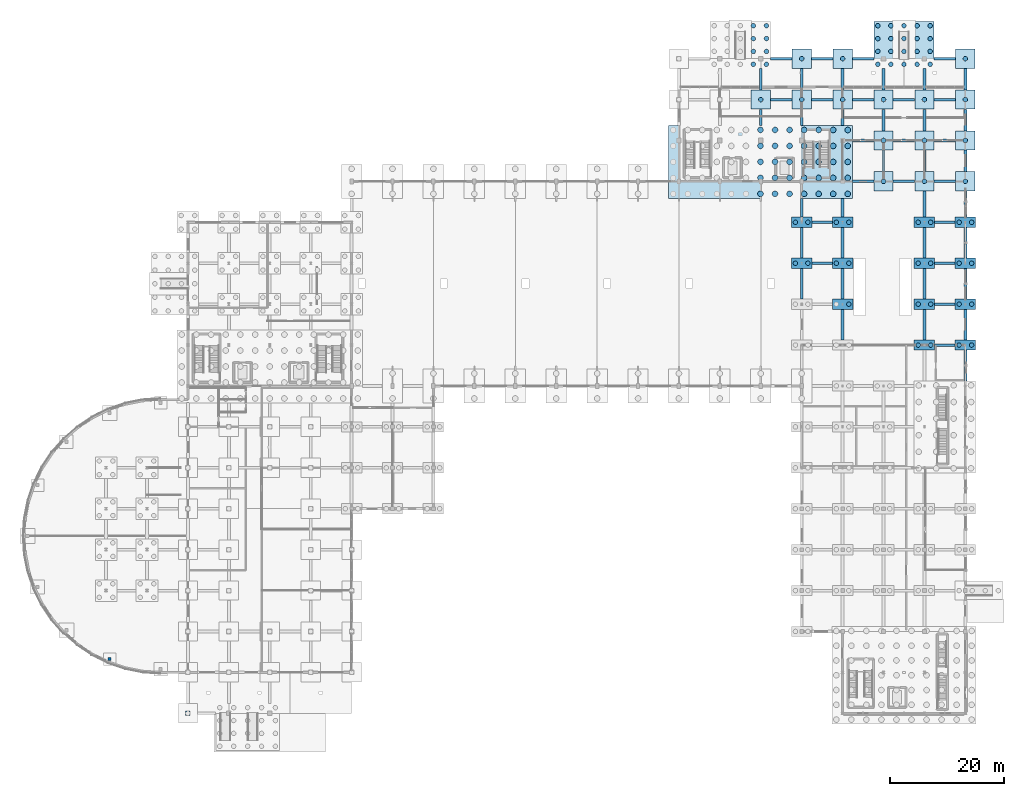
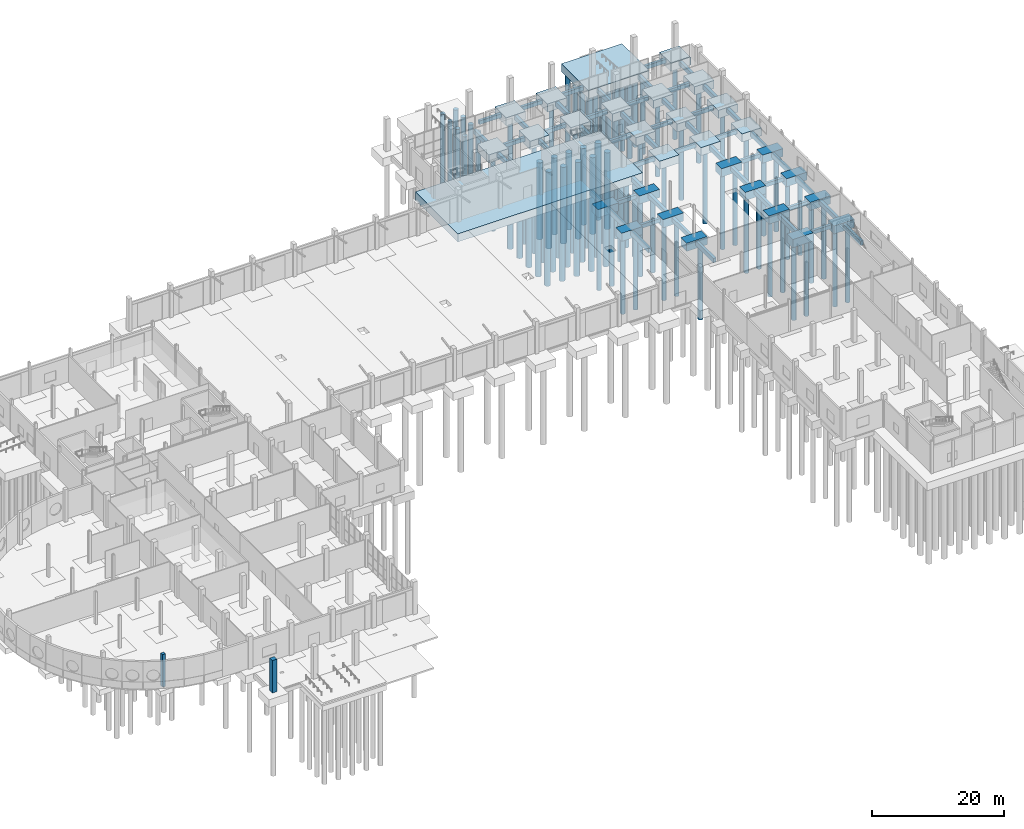
# One storey, part 5 of 45: 103 piles, 82 footings, 2 columns.
"""IFC4 building model written with IfcOpenShell, lengths in metres."""

from ifc_helpers import new_model, si_unit, direction, frame, origin, origin_2d, place, context, subcontext, project, spatial, rectangle, circle, extrude, material, material_profile, profile_set, type_object, element, save


model = new_model("IFC4")

# Units and contexts
model_context = context("Model", 3, precision=1e-05, world=origin(), true_north=direction((0.0, 1.0)))
body_context = subcontext(model_context, "Body", "Model", "MODEL_VIEW")
ifc_project = project(units=[si_unit("LENGTHUNIT", "METRE"), si_unit("AREAUNIT", "SQUARE_METRE"), si_unit("VOLUMEUNIT", "CUBIC_METRE"), si_unit("PLANEANGLEUNIT", "RADIAN"), si_unit("MASSUNIT", "GRAM", prefix="KILO")], contexts=[model_context])

# Site, building, storey
site_placement = place(None, origin())
site = spatial("IfcSite", under=ifc_project, at=site_placement, CompositionType="ELEMENT")
building_placement = place(site_placement, origin())
building = spatial("IfcBuilding", under=site, at=building_placement, Name="Yarey Park Central Fire Station", CompositionType="ELEMENT")
storey_placement = place(building_placement, origin())
storey = spatial("IfcBuildingStorey", under=building, at=storey_placement, Name="L01", CompositionType="ELEMENT", Elevation=0.0)

# Footings
ifc_material_1 = material(Name="Concrete C35/45", Category="concrete")
footing_type_1 = type_object("IfcFootingType", Name="STR_CAP_M01", PredefinedType="PILE_CAP", material=ifc_material_1)
footing_1_placement = place(storey_placement, frame((129.550048828125, 97.02490234375, -1.5), z_axis=(0.0, 0.0, 1.0), x_axis=(1.0, 0.0, 0.0)))
element("IfcFooting", 1, at=footing_1_placement, inside=storey, type_object=footing_type_1, Name="FDN_CAP_001", PredefinedType="PILE_CAP", context=body_context, shape_type="SweptSolid", body=[
    extrude(rectangle(XDim=32.300048828125, YDim=12.85009765625, at=origin_2d()), origin(), (0.0, 0.0, 1.0), 1.5),
])
footing_type_2 = type_object("IfcFootingType", Name="STR_CAP_M07", PredefinedType="PILE_CAP", material=ifc_material_1)
footing_2_placement = place(storey_placement, frame((154.800048828125, 117.60009765625, -1.5), z_axis=(0.0, 0.0, 1.0), x_axis=(1.0, 0.0, 0.0)))
element("IfcFooting", 2, at=footing_2_placement, inside=storey, type_object=footing_type_2, Name="FDN_CAP_007", PredefinedType="PILE_CAP", context=body_context, shape_type="SweptSolid", body=[
    extrude(rectangle(XDim=10.60009765625, YDim=8.199951171875, at=origin_2d()), origin(), (0.0, 0.0, 1.0), 1.5),
])
footing_type_3 = type_object("IfcFootingType", Name="STR_CAP_PC2", PredefinedType="PILE_CAP", material=ifc_material_1)
for number, where, z_axis, x_axis, name in (
    (3, (136.800048828125, 79.199951171875, -1.5), (0.0, 0.0, 1.0), (1.0, 0.0, 0.0), "FDN_CAP_101"),
    (4, (136.800048828125, 86.39990234375, -1.5), (0.0, 0.0, 1.0), (1.0, 0.0, 0.0), "FDN_CAP_102"),
    (5, (144.0, 72.0, -1.5), (0.0, 0.0, 1.0), (1.0, 0.0, 0.0), "FDN_CAP_112"),
    (6, (144.0, 79.199951171875, -1.5), (0.0, 0.0, 1.0), (1.0, 0.0, 0.0), "FDN_CAP_113"),
    (7, (144.0, 86.39990234375, -1.5), (0.0, 0.0, 1.0), (1.0, 0.0, 0.0), "FDN_CAP_114"),
    (8, (158.39990234375, 64.800048828125, -1.5), (0.0, 0.0, 1.0), (1.0, 0.0, 0.0), "FDN_CAP_129"),
    (9, (158.39990234375, 72.0, -1.5), (0.0, 0.0, 1.0), (1.0, 0.0, 0.0), "FDN_CAP_130"),
    (10, (158.39990234375, 79.199951171875, -1.5), (0.0, 0.0, 1.0), (1.0, 0.0, 0.0), "FDN_CAP_131"),
    (11, (158.39990234375, 86.39990234375, -1.5), (0.0, 0.0, 1.0), (1.0, 0.0, 0.0), "FDN_CAP_132"),
    (12, (165.60009765625, 64.800048828125, -1.5), (0.0, 0.0, 1.0), (1.0, 0.0, 0.0), "FDN_CAP_138"),
    (13, (165.60009765625, 72.0, -1.5), (0.0, 0.0, 1.0), (1.0, 0.0, 0.0), "FDN_CAP_139"),
    (14, (165.60009765625, 79.199951171875, -1.5), (0.0, 0.0, 1.0), (1.0, 0.0, 0.0), "FDN_CAP_140"),
    (15, (165.60009765625, 86.39990234375, -1.5), (0.0, 0.0, 1.0), (1.0, 0.0, 0.0), "FDN_CAP_141"),
):
    element("IfcFooting", number, at=place(storey_placement, frame(where, z_axis=z_axis, x_axis=x_axis)), inside=storey, type_object=footing_type_3, Name=name, PredefinedType="PILE_CAP", context=body_context, shape_type="SweptSolid", body=[
        extrude(rectangle(XDim=3.60009765625, YDim=1.800048828125, at=origin_2d()), origin(), (0.0, 0.0, 1.0), 1.5),
    ])
footing_type_4 = type_object("IfcFootingType", Name="STR_CAP_PC4", PredefinedType="PILE_CAP", material=ifc_material_1)
for number, where, z_axis, x_axis, name in (
    (16, (129.60009765625, 108.0, -1.5), (0.0, 0.0, 1.0), (1.0, 0.0, 0.0), "FDN_CAP_091"),
    (17, (136.800048828125, 108.0, -1.5), (0.0, 0.0, 1.0), (1.0, 0.0, 0.0), "FDN_CAP_103"),
    (18, (136.800048828125, 115.199951171875, -1.5), (0.0, 0.0, 1.0), (1.0, 0.0, 0.0), "FDN_CAP_104"),
    (19, (144.0, 108.0, -1.5), (0.0, 0.0, 1.0), (1.0, 0.0, 0.0), "FDN_CAP_115"),
    (20, (144.0, 115.199951171875, -1.5), (0.0, 0.0, 1.0), (1.0, 0.0, 0.0), "FDN_CAP_116"),
    (21, (151.199951171875, 93.60009765625, -1.5), (0.0, 0.0, 1.0), (1.0, 0.0, 0.0), "FDN_CAP_123"),
    (22, (151.199951171875, 100.800048828125, -1.5), (0.0, 0.0, 1.0), (1.0, 0.0, 0.0), "FDN_CAP_124"),
    (23, (151.199951171875, 108.0, -1.5), (0.0, 0.0, 1.0), (1.0, 0.0, 0.0), "FDN_CAP_125"),
    (24, (158.39990234375, 93.60009765625, -1.5), (0.0, 0.0, 1.0), (1.0, 0.0, 0.0), "FDN_CAP_133"),
    (25, (158.39990234375, 100.800048828125, -1.5), (0.0, 0.0, 1.0), (1.0, 0.0, 0.0), "FDN_CAP_134"),
    (26, (158.39990234375, 108.0, -1.5), (0.0, 0.0, 1.0), (1.0, 0.0, 0.0), "FDN_CAP_135"),
    (27, (165.60009765625, 93.60009765625, -1.5), (0.0, 0.0, 1.0), (1.0, 0.0, 0.0), "FDN_CAP_142"),
    (28, (165.60009765625, 100.800048828125, -1.5), (0.0, 0.0, 1.0), (1.0, 0.0, 0.0), "FDN_CAP_143"),
    (29, (165.60009765625, 108.0, -1.5), (0.0, 0.0, 1.0), (1.0, 0.0, 0.0), "FDN_CAP_144"),
    (30, (165.60009765625, 115.199951171875, -1.5), (0.0, 0.0, 1.0), (1.0, 0.0, 0.0), "FDN_CAP_145"),
):
    element("IfcFooting", number, at=place(storey_placement, frame(where, z_axis=z_axis, x_axis=x_axis)), inside=storey, type_object=footing_type_4, Name=name, PredefinedType="PILE_CAP", context=body_context, shape_type="SweptSolid", body=[
        extrude(rectangle(XDim=3.39990234375, YDim=3.39990234375, at=origin_2d()), origin(), (0.0, 0.0, 1.0), 1.5),
    ])
footing_type_5 = type_object("IfcFootingType", Name="STR_GB_1", PredefinedType="FOOTING_BEAM", material=ifc_material_1)
for number, where, z_axis, x_axis, name in (
    (31, (162.0, 64.800048828125, -0.85009765625), (0.0, 0.0, 1.0), (1.0, 0.0, 0.0), "FDN_GBX_072"),
    (32, (162.0, 72.0, -0.85009765625), (0.0, 0.0, 1.0), (1.0, 0.0, 0.0), "FDN_GBX_078"),
    (33, (140.39990234375, 79.199951171875, -0.85009765625), (0.0, 0.0, 1.0), (1.0, 0.0, 0.0), "FDN_GBX_083"),
    (34, (162.0, 79.199951171875, -0.85009765625), (0.0, 0.0, 1.0), (1.0, 0.0, 0.0), "FDN_GBX_084"),
    (35, (140.39990234375, 86.39990234375, -0.85009765625), (0.0, 0.0, 1.0), (1.0, 0.0, 0.0), "FDN_GBX_089"),
    (36, (162.0, 86.39990234375, -0.85009765625), (0.0, 0.0, 1.0), (1.0, 0.0, 0.0), "FDN_GBX_090"),
):
    element("IfcFooting", number, at=place(storey_placement, frame(where, z_axis=z_axis, x_axis=x_axis)), inside=storey, type_object=footing_type_5, Name=name, PredefinedType="FOOTING_BEAM", context=body_context, shape_type="SweptSolid", body=[
        extrude(rectangle(XDim=3.583984375, YDim=0.449951171875, at=origin_2d()), origin(), (0.0, 0.0, 1.0), 0.699951171875),
    ])
for number, where, z_axis, x_axis, name in (
    (37, (147.60009765625, 93.60009765625, -0.85009765625), (0.0, 0.0, 1.0), (1.0, 0.0, 0.0), "FDN_GBX_099"),
    (38, (154.800048828125, 93.60009765625, -0.85009765625), (0.0, 0.0, 1.0), (1.0, 0.0, 0.0), "FDN_GBX_100"),
    (39, (162.0, 93.60009765625, -0.85009765625), (0.0, 0.0, 1.0), (1.0, 0.0, 0.0), "FDN_GBX_101"),
    (40, (147.60009765625, 100.800048828125, -0.85009765625), (0.0, 0.0, 1.0), (1.0, 0.0, 0.0), "FDN_GBX_102"),
    (41, (154.800048828125, 100.800048828125, -0.85009765625), (0.0, 0.0, 1.0), (1.0, 0.0, 0.0), "FDN_GBX_103"),
    (42, (162.0, 100.800048828125, -0.85009765625), (0.0, 0.0, 1.0), (1.0, 0.0, 0.0), "FDN_GBX_104"),
    (43, (133.199951171875, 108.0, -0.85009765625), (0.0, 0.0, 1.0), (1.0, 0.0, 0.0), "FDN_GBX_107"),
    (44, (140.39990234375, 108.0, -0.85009765625), (0.0, 0.0, 1.0), (1.0, 0.0, 0.0), "FDN_GBX_108"),
    (45, (147.60009765625, 108.0, -0.85009765625), (0.0, 0.0, 1.0), (1.0, 0.0, 0.0), "FDN_GBX_109"),
    (46, (154.800048828125, 108.0, -0.85009765625), (0.0, 0.0, 1.0), (1.0, 0.0, 0.0), "FDN_GBX_110"),
    (47, (162.0, 108.0, -0.85009765625), (0.0, 0.0, 1.0), (1.0, 0.0, 0.0), "FDN_GBX_111"),
    (48, (133.199951171875, 115.199951171875, -0.85009765625), (0.0, 0.0, 1.0), (1.0, 0.0, 0.0), "FDN_GBX_113"),
    (49, (140.39990234375, 115.199951171875, -0.85009765625), (0.0, 0.0, 1.0), (1.0, 0.0, 0.0), "FDN_GBX_114"),
    (50, (147.60009765625, 115.199951171875, -0.85009765625), (0.0, 0.0, 1.0), (1.0, 0.0, 0.0), "FDN_GBX_115"),
    (51, (162.0, 115.199951171875, -0.85009765625), (0.0, 0.0, 1.0), (1.0, 0.0, 0.0), "FDN_GBX_116"),
):
    element("IfcFooting", number, at=place(storey_placement, frame(where, z_axis=z_axis, x_axis=x_axis)), inside=storey, type_object=footing_type_5, Name=name, PredefinedType="FOOTING_BEAM", context=body_context, shape_type="SweptSolid", body=[
        extrude(rectangle(XDim=3.783935546875, YDim=0.449951171875, at=origin_2d()), origin(), (0.0, 0.0, 1.0), 0.699951171875),
    ])
footing_type_6 = type_object("IfcFootingType", Name="STR_GB_2", PredefinedType="FOOTING_BEAM", material=ifc_material_1)
footing_3_placement = place(storey_placement, frame((129.60009765625, 104.875, -0.89990234375), z_axis=(0.0, 0.0, 1.0), x_axis=(1.0, 0.0, 0.0)))
element("IfcFooting", 52, at=footing_3_placement, inside=storey, type_object=footing_type_6, Name="FDN_GBY_182", PredefinedType="FOOTING_BEAM", context=body_context, shape_type="SweptSolid", body=[
    extrude(rectangle(XDim=0.5, YDim=2.833984375, at=origin_2d()), origin(), (0.0, 0.0, 1.0), 0.800048828125),
])
footing_4_placement = place(storey_placement, frame((129.60009765625, 111.60009765625, -0.89990234375), z_axis=(0.0, 0.0, 1.0), x_axis=(1.0, 0.0, 0.0)))
element("IfcFooting", 53, at=footing_4_placement, inside=storey, type_object=footing_type_6, Name="FDN_GBY_183", PredefinedType="FOOTING_BEAM", context=body_context, shape_type="SweptSolid", body=[
    extrude(rectangle(XDim=0.5, YDim=3.783935546875, at=origin_2d()), origin(), (0.0, 0.0, 1.0), 0.800048828125),
])
for number, where, z_axis, x_axis, name in (
    (54, (136.800048828125, 75.60009765625, -0.89990234375), (0.0, 0.0, 1.0), (1.0, 0.0, 0.0), "FDN_GBY_192"),
    (55, (136.800048828125, 82.800048828125, -0.89990234375), (0.0, 0.0, 1.0), (1.0, 0.0, 0.0), "FDN_GBY_193"),
):
    element("IfcFooting", number, at=place(storey_placement, frame(where, z_axis=z_axis, x_axis=x_axis)), inside=storey, type_object=footing_type_6, Name=name, PredefinedType="FOOTING_BEAM", context=body_context, shape_type="SweptSolid", body=[
        extrude(rectangle(XDim=0.5, YDim=5.384033203125, at=origin_2d()), origin(), (0.0, 0.0, 1.0), 0.800048828125),
    ])
footing_5_placement = place(storey_placement, frame((136.800048828125, 88.949951171875, -0.89990234375), z_axis=(0.0, 0.0, 1.0), x_axis=(1.0, 0.0, 0.0)))
element("IfcFooting", 56, at=footing_5_placement, inside=storey, type_object=footing_type_6, Name="FDN_GBY_194", PredefinedType="FOOTING_BEAM", context=body_context, shape_type="SweptSolid", body=[
    extrude(rectangle(XDim=0.5, YDim=3.283935546875, at=origin_2d()), origin(), (0.0, 0.0, 1.0), 0.800048828125),
])
footing_6_placement = place(storey_placement, frame((136.800048828125, 104.875, -0.89990234375), z_axis=(0.0, 0.0, 1.0), x_axis=(1.0, 0.0, 0.0)))
element("IfcFooting", 57, at=footing_6_placement, inside=storey, type_object=footing_type_6, Name="FDN_GBY_195", PredefinedType="FOOTING_BEAM", context=body_context, shape_type="SweptSolid", body=[
    extrude(rectangle(XDim=0.5, YDim=2.833984375, at=origin_2d()), origin(), (0.0, 0.0, 1.0), 0.800048828125),
])
footing_7_placement = place(storey_placement, frame((136.800048828125, 111.60009765625, -0.89990234375), z_axis=(0.0, 0.0, 1.0), x_axis=(1.0, 0.0, 0.0)))
element("IfcFooting", 58, at=footing_7_placement, inside=storey, type_object=footing_type_6, Name="FDN_GBY_196", PredefinedType="FOOTING_BEAM", context=body_context, shape_type="SweptSolid", body=[
    extrude(rectangle(XDim=0.5, YDim=3.783935546875, at=origin_2d()), origin(), (0.0, 0.0, 1.0), 0.800048828125),
])
for number, where, z_axis, x_axis, name in (
    (59, (144.0, 68.39990234375, -0.89990234375), (0.0, 0.0, 1.0), (1.0, 0.0, 0.0), "FDN_GBY_204"),
    (60, (144.0, 75.60009765625, -0.89990234375), (0.0, 0.0, 1.0), (1.0, 0.0, 0.0), "FDN_GBY_205"),
    (61, (144.0, 82.800048828125, -0.89990234375), (0.0, 0.0, 1.0), (1.0, 0.0, 0.0), "FDN_GBY_206"),
):
    element("IfcFooting", number, at=place(storey_placement, frame(where, z_axis=z_axis, x_axis=x_axis)), inside=storey, type_object=footing_type_6, Name=name, PredefinedType="FOOTING_BEAM", context=body_context, shape_type="SweptSolid", body=[
        extrude(rectangle(XDim=0.5, YDim=5.384033203125, at=origin_2d()), origin(), (0.0, 0.0, 1.0), 0.800048828125),
    ])
footing_8_placement = place(storey_placement, frame((144.0, 88.949951171875, -0.89990234375), z_axis=(0.0, 0.0, 1.0), x_axis=(1.0, 0.0, 0.0)))
element("IfcFooting", 62, at=footing_8_placement, inside=storey, type_object=footing_type_6, Name="FDN_GBY_207", PredefinedType="FOOTING_BEAM", context=body_context, shape_type="SweptSolid", body=[
    extrude(rectangle(XDim=0.5, YDim=3.283935546875, at=origin_2d()), origin(), (0.0, 0.0, 1.0), 0.800048828125),
])
footing_9_placement = place(storey_placement, frame((144.0, 104.875, -0.89990234375), z_axis=(0.0, 0.0, 1.0), x_axis=(1.0, 0.0, 0.0)))
element("IfcFooting", 63, at=footing_9_placement, inside=storey, type_object=footing_type_6, Name="FDN_GBY_208", PredefinedType="FOOTING_BEAM", context=body_context, shape_type="SweptSolid", body=[
    extrude(rectangle(XDim=0.5, YDim=2.833984375, at=origin_2d()), origin(), (0.0, 0.0, 1.0), 0.800048828125),
])
for number, where, z_axis, x_axis, name in (
    (64, (144.0, 111.60009765625, -0.89990234375), (0.0, 0.0, 1.0), (1.0, 0.0, 0.0), "FDN_GBY_209"),
    (65, (151.199951171875, 97.199951171875, -0.89990234375), (0.0, 0.0, 1.0), (1.0, 0.0, 0.0), "FDN_GBY_216"),
    (66, (151.199951171875, 104.39990234375, -0.89990234375), (0.0, 0.0, 1.0), (1.0, 0.0, 0.0), "FDN_GBY_217"),
    (67, (151.199951171875, 111.60009765625, -0.89990234375), (0.0, 0.0, 1.0), (1.0, 0.0, 0.0), "FDN_GBY_218"),
):
    element("IfcFooting", number, at=place(storey_placement, frame(where, z_axis=z_axis, x_axis=x_axis)), inside=storey, type_object=footing_type_6, Name=name, PredefinedType="FOOTING_BEAM", context=body_context, shape_type="SweptSolid", body=[
        extrude(rectangle(XDim=0.5, YDim=3.783935546875, at=origin_2d()), origin(), (0.0, 0.0, 1.0), 0.800048828125),
    ])
for number, where, z_axis, x_axis, name in (
    (68, (158.39990234375, 68.39990234375, -0.89990234375), (0.0, 0.0, 1.0), (1.0, 0.0, 0.0), "FDN_GBY_224"),
    (69, (158.39990234375, 75.60009765625, -0.89990234375), (0.0, 0.0, 1.0), (1.0, 0.0, 0.0), "FDN_GBY_225"),
    (70, (158.39990234375, 82.800048828125, -0.89990234375), (0.0, 0.0, 1.0), (1.0, 0.0, 0.0), "FDN_GBY_226"),
):
    element("IfcFooting", number, at=place(storey_placement, frame(where, z_axis=z_axis, x_axis=x_axis)), inside=storey, type_object=footing_type_6, Name=name, PredefinedType="FOOTING_BEAM", context=body_context, shape_type="SweptSolid", body=[
        extrude(rectangle(XDim=0.5, YDim=5.384033203125, at=origin_2d()), origin(), (0.0, 0.0, 1.0), 0.800048828125),
    ])
footing_10_placement = place(storey_placement, frame((158.39990234375, 89.60009765625, -0.89990234375), z_axis=(0.0, 0.0, 1.0), x_axis=(1.0, 0.0, 0.0)))
element("IfcFooting", 71, at=footing_10_placement, inside=storey, type_object=footing_type_6, Name="FDN_GBY_227", PredefinedType="FOOTING_BEAM", context=body_context, shape_type="SweptSolid", body=[
    extrude(rectangle(XDim=0.5, YDim=4.583984375, at=origin_2d()), origin(), (0.0, 0.0, 1.0), 0.800048828125),
])
for number, where, z_axis, x_axis, name in (
    (72, (158.39990234375, 97.199951171875, -0.89990234375), (0.0, 0.0, 1.0), (1.0, 0.0, 0.0), "FDN_GBY_228"),
    (73, (158.39990234375, 104.39990234375, -0.89990234375), (0.0, 0.0, 1.0), (1.0, 0.0, 0.0), "FDN_GBY_229"),
    (74, (158.39990234375, 111.60009765625, -0.89990234375), (0.0, 0.0, 1.0), (1.0, 0.0, 0.0), "FDN_GBY_230"),
):
    element("IfcFooting", number, at=place(storey_placement, frame(where, z_axis=z_axis, x_axis=x_axis)), inside=storey, type_object=footing_type_6, Name=name, PredefinedType="FOOTING_BEAM", context=body_context, shape_type="SweptSolid", body=[
        extrude(rectangle(XDim=0.5, YDim=3.783935546875, at=origin_2d()), origin(), (0.0, 0.0, 1.0), 0.800048828125),
    ])
for number, where, z_axis, x_axis, name in (
    (75, (165.60009765625, 61.199951171875, -0.89990234375), (0.0, 0.0, 1.0), (1.0, 0.0, 0.0), "FDN_GBY_235"),
    (76, (165.60009765625, 68.39990234375, -0.89990234375), (0.0, 0.0, 1.0), (1.0, 0.0, 0.0), "FDN_GBY_236"),
    (77, (165.60009765625, 75.60009765625, -0.89990234375), (0.0, 0.0, 1.0), (1.0, 0.0, 0.0), "FDN_GBY_237"),
    (78, (165.60009765625, 82.800048828125, -0.89990234375), (0.0, 0.0, 1.0), (1.0, 0.0, 0.0), "FDN_GBY_238"),
):
    element("IfcFooting", number, at=place(storey_placement, frame(where, z_axis=z_axis, x_axis=x_axis)), inside=storey, type_object=footing_type_6, Name=name, PredefinedType="FOOTING_BEAM", context=body_context, shape_type="SweptSolid", body=[
        extrude(rectangle(XDim=0.5, YDim=5.384033203125, at=origin_2d()), origin(), (0.0, 0.0, 1.0), 0.800048828125),
    ])
footing_11_placement = place(storey_placement, frame((165.60009765625, 89.60009765625, -0.89990234375), z_axis=(0.0, 0.0, 1.0), x_axis=(1.0, 0.0, 0.0)))
element("IfcFooting", 79, at=footing_11_placement, inside=storey, type_object=footing_type_6, Name="FDN_GBY_239", PredefinedType="FOOTING_BEAM", context=body_context, shape_type="SweptSolid", body=[
    extrude(rectangle(XDim=0.5, YDim=4.583984375, at=origin_2d()), origin(), (0.0, 0.0, 1.0), 0.800048828125),
])
for number, where, z_axis, x_axis, name in (
    (80, (165.60009765625, 97.199951171875, -0.89990234375), (0.0, 0.0, 1.0), (1.0, 0.0, 0.0), "FDN_GBY_240"),
    (81, (165.60009765625, 104.39990234375, -0.89990234375), (0.0, 0.0, 1.0), (1.0, 0.0, 0.0), "FDN_GBY_241"),
    (82, (165.60009765625, 111.60009765625, -0.89990234375), (0.0, 0.0, 1.0), (1.0, 0.0, 0.0), "FDN_GBY_242"),
):
    element("IfcFooting", number, at=place(storey_placement, frame(where, z_axis=z_axis, x_axis=x_axis)), inside=storey, type_object=footing_type_6, Name=name, PredefinedType="FOOTING_BEAM", context=body_context, shape_type="SweptSolid", body=[
        extrude(rectangle(XDim=0.5, YDim=3.783935546875, at=origin_2d()), origin(), (0.0, 0.0, 1.0), 0.800048828125),
    ])

# Piles
ifc_material_profile_1 = material_profile(ifc_material_1, circle(Radius=0.5, at=origin_2d()), Name="BORED PILE D1000")
ifc_profile_set_1 = profile_set([ifc_material_profile_1], Name="Concrete C35/45")
pile_type_1 = type_object("IfcPileType", Name="STR_PILE_D1000", PredefinedType="BORED", material=ifc_profile_set_1)
for number, where, z_axis, x_axis, name in (
    (83, (129.550048828125, 91.39990234375, -1.300048828125), (0.0, 0.0, -1.0), (1.0, 0.0, 0.0), "FDN_PILE_X12955_Y9140"),
    (84, (129.550048828125, 94.21240234375, -1.300048828125), (0.0, 0.0, -1.0), (1.0, 0.0, 0.0), "FDN_PILE_X12955_Y9421"),
    (85, (129.550048828125, 97.02490234375, -1.300048828125), (0.0, 0.0, -1.0), (1.0, 0.0, 0.0), "FDN_PILE_X12955_Y9702"),
    (86, (129.550048828125, 99.83740234375, -1.300048828125), (0.0, 0.0, -1.0), (1.0, 0.0, 0.0), "FDN_PILE_X12955_Y9984"),
    (87, (129.550048828125, 102.64990234375, -1.300048828125), (0.0, 0.0, -1.0), (1.0, 0.0, 0.0), "FDN_PILE_X12955_Y10265"),
    (88, (132.1083984375, 91.39990234375, -1.300048828125), (0.0, 0.0, -1.0), (1.0, 0.0, 0.0), "FDN_PILE_X13211_Y9140"),
    (89, (132.1083984375, 94.21240234375, -1.300048828125), (0.0, 0.0, -1.0), (1.0, 0.0, 0.0), "FDN_PILE_X13211_Y9421"),
    (90, (132.1083984375, 97.02490234375, -1.300048828125), (0.0, 0.0, -1.0), (1.0, 0.0, 0.0), "FDN_PILE_X13211_Y9702"),
    (91, (132.1083984375, 99.83740234375, -1.300048828125), (0.0, 0.0, -1.0), (1.0, 0.0, 0.0), "FDN_PILE_X13211_Y9984"),
    (92, (132.1083984375, 102.64990234375, -1.300048828125), (0.0, 0.0, -1.0), (1.0, 0.0, 0.0), "FDN_PILE_X13211_Y10265"),
    (93, (134.666748046875, 91.39990234375, -1.300048828125), (0.0, 0.0, -1.0), (1.0, 0.0, 0.0), "FDN_PILE_X13467_Y9140"),
    (94, (134.666748046875, 94.21240234375, -1.300048828125), (0.0, 0.0, -1.0), (1.0, 0.0, 0.0), "FDN_PILE_X13467_Y9421"),
    (95, (134.666748046875, 97.02490234375, -1.300048828125), (0.0, 0.0, -1.0), (1.0, 0.0, 0.0), "FDN_PILE_X13467_Y9702"),
    (96, (134.666748046875, 99.83740234375, -1.300048828125), (0.0, 0.0, -1.0), (1.0, 0.0, 0.0), "FDN_PILE_X13467_Y9984"),
    (97, (134.666748046875, 102.64990234375, -1.300048828125), (0.0, 0.0, -1.0), (1.0, 0.0, 0.0), "FDN_PILE_X13467_Y10265"),
    (98, (137.22509765625, 91.39990234375, -1.300048828125), (0.0, 0.0, -1.0), (1.0, 0.0, 0.0), "FDN_PILE_X13722_Y9140"),
    (99, (137.22509765625, 94.21240234375, -1.300048828125), (0.0, 0.0, -1.0), (1.0, 0.0, 0.0), "FDN_PILE_X13722_Y9421"),
    (100, (137.22509765625, 97.02490234375, -1.300048828125), (0.0, 0.0, -1.0), (1.0, 0.0, 0.0), "FDN_PILE_X13722_Y9702"),
    (101, (137.22509765625, 99.83740234375, -1.300048828125), (0.0, 0.0, -1.0), (1.0, 0.0, 0.0), "FDN_PILE_X13722_Y9984"),
    (102, (137.22509765625, 102.64990234375, -1.300048828125), (0.0, 0.0, -1.0), (1.0, 0.0, 0.0), "FDN_PILE_X13722_Y10265"),
    (103, (139.783203125, 91.39990234375, -1.300048828125), (0.0, 0.0, -1.0), (1.0, 0.0, 0.0), "FDN_PILE_X13978_Y9140"),
    (104, (139.783203125, 94.21240234375, -1.300048828125), (0.0, 0.0, -1.0), (1.0, 0.0, 0.0), "FDN_PILE_X13978_Y9421"),
    (105, (139.783203125, 97.02490234375, -1.300048828125), (0.0, 0.0, -1.0), (1.0, 0.0, 0.0), "FDN_PILE_X13978_Y9702"),
    (106, (139.783203125, 99.83740234375, -1.300048828125), (0.0, 0.0, -1.0), (1.0, 0.0, 0.0), "FDN_PILE_X13978_Y9984"),
    (107, (139.783203125, 102.64990234375, -1.300048828125), (0.0, 0.0, -1.0), (1.0, 0.0, 0.0), "FDN_PILE_X13978_Y10265"),
    (108, (142.341796875, 91.39990234375, -1.300048828125), (0.0, 0.0, -1.0), (1.0, 0.0, 0.0), "FDN_PILE_X14234_Y9140"),
    (109, (142.341796875, 94.21240234375, -1.300048828125), (0.0, 0.0, -1.0), (1.0, 0.0, 0.0), "FDN_PILE_X14234_Y9421"),
    (110, (142.341796875, 97.02490234375, -1.300048828125), (0.0, 0.0, -1.0), (1.0, 0.0, 0.0), "FDN_PILE_X14234_Y9702"),
    (111, (142.341796875, 99.83740234375, -1.300048828125), (0.0, 0.0, -1.0), (1.0, 0.0, 0.0), "FDN_PILE_X14234_Y9984"),
    (112, (142.341796875, 102.64990234375, -1.300048828125), (0.0, 0.0, -1.0), (1.0, 0.0, 0.0), "FDN_PILE_X14234_Y10265"),
    (113, (144.89990234375, 91.39990234375, -1.300048828125), (0.0, 0.0, -1.0), (1.0, 0.0, 0.0), "FDN_PILE_X14490_Y9140"),
    (114, (144.89990234375, 94.21240234375, -1.300048828125), (0.0, 0.0, -1.0), (1.0, 0.0, 0.0), "FDN_PILE_X14490_Y9421"),
    (115, (144.89990234375, 97.02490234375, -1.300048828125), (0.0, 0.0, -1.0), (1.0, 0.0, 0.0), "FDN_PILE_X14490_Y9702"),
    (116, (144.89990234375, 99.83740234375, -1.300048828125), (0.0, 0.0, -1.0), (1.0, 0.0, 0.0), "FDN_PILE_X14490_Y9984"),
    (117, (144.89990234375, 102.64990234375, -1.300048828125), (0.0, 0.0, -1.0), (1.0, 0.0, 0.0), "FDN_PILE_X14490_Y10265"),
):
    element("IfcPile", number, at=place(storey_placement, frame(where, z_axis=z_axis, x_axis=x_axis)), inside=storey, type_object=pile_type_1, Name=name, PredefinedType="BORED", context=body_context, shape_type="SweptSolid", body=[
        extrude(circle(Radius=0.5, at=origin_2d()), origin(), (0.0, 0.0, 1.0), 14.199951171875),
    ])
ifc_material_profile_2 = material_profile(ifc_material_1, circle(Radius=0.39990234375, at=origin_2d()), Name="BORED PILE D800")
ifc_profile_set_2 = profile_set([ifc_material_profile_2], Name="Concrete C35/45")
pile_type_2 = type_object("IfcPileType", Name="STR_PILE_D800", PredefinedType="BORED", material=ifc_profile_set_2)
for number, where, z_axis, x_axis, name in (
    (118, (128.300048828125, 114.199951171875, -1.300048828125), (0.0, 0.0, -1.0), (1.0, 0.0, 0.0), "FDN_PILE_X12830_Y11420"),
    (119, (128.300048828125, 116.466796875, -1.300048828125), (0.0, 0.0, -1.0), (1.0, 0.0, 0.0), "FDN_PILE_X12830_Y11647"),
    (120, (128.300048828125, 118.7333984375, -1.300048828125), (0.0, 0.0, -1.0), (1.0, 0.0, 0.0), "FDN_PILE_X12830_Y11873"),
    (121, (128.300048828125, 121.0, -1.300048828125), (0.0, 0.0, -1.0), (1.0, 0.0, 0.0), "FDN_PILE_X12830_Y12100"),
    (122, (130.60009765625, 114.199951171875, -1.300048828125), (0.0, 0.0, -1.0), (1.0, 0.0, 0.0), "FDN_PILE_X13060_Y11420"),
    (123, (130.60009765625, 116.466796875, -1.300048828125), (0.0, 0.0, -1.0), (1.0, 0.0, 0.0), "FDN_PILE_X13060_Y11647"),
    (124, (130.60009765625, 118.7333984375, -1.300048828125), (0.0, 0.0, -1.0), (1.0, 0.0, 0.0), "FDN_PILE_X13060_Y11873"),
    (125, (130.60009765625, 121.0, -1.300048828125), (0.0, 0.0, -1.0), (1.0, 0.0, 0.0), "FDN_PILE_X13060_Y12100"),
    (126, (150.199951171875, 114.199951171875, -1.300048828125), (0.0, 0.0, -1.0), (1.0, 0.0, 0.0), "FDN_PILE_X15020_Y11420"),
    (127, (150.199951171875, 116.466796875, -1.300048828125), (0.0, 0.0, -1.0), (1.0, 0.0, 0.0), "FDN_PILE_X15020_Y11647"),
    (128, (150.199951171875, 118.7333984375, -1.300048828125), (0.0, 0.0, -1.0), (1.0, 0.0, 0.0), "FDN_PILE_X15020_Y11873"),
    (129, (150.199951171875, 121.0, -1.300048828125), (0.0, 0.0, -1.0), (1.0, 0.0, 0.0), "FDN_PILE_X15020_Y12100"),
    (130, (152.5, 114.199951171875, -1.300048828125), (0.0, 0.0, -1.0), (1.0, 0.0, 0.0), "FDN_PILE_X15250_Y11420"),
    (131, (152.5, 116.466796875, -1.300048828125), (0.0, 0.0, -1.0), (1.0, 0.0, 0.0), "FDN_PILE_X15250_Y11647"),
    (132, (152.5, 118.7333984375, -1.300048828125), (0.0, 0.0, -1.0), (1.0, 0.0, 0.0), "FDN_PILE_X15250_Y11873"),
    (133, (152.5, 121.0, -1.300048828125), (0.0, 0.0, -1.0), (1.0, 0.0, 0.0), "FDN_PILE_X15250_Y12100"),
    (134, (154.800048828125, 114.199951171875, -1.300048828125), (0.0, 0.0, -1.0), (1.0, 0.0, 0.0), "FDN_PILE_X15480_Y11420"),
    (135, (154.800048828125, 116.466796875, -1.300048828125), (0.0, 0.0, -1.0), (1.0, 0.0, 0.0), "FDN_PILE_X15480_Y11647"),
    (136, (154.800048828125, 118.7333984375, -1.300048828125), (0.0, 0.0, -1.0), (1.0, 0.0, 0.0), "FDN_PILE_X15480_Y11873"),
    (137, (154.800048828125, 121.0, -1.300048828125), (0.0, 0.0, -1.0), (1.0, 0.0, 0.0), "FDN_PILE_X15480_Y12100"),
    (138, (157.10009765625, 114.199951171875, -1.300048828125), (0.0, 0.0, -1.0), (1.0, 0.0, 0.0), "FDN_PILE_X15710_Y11420"),
    (139, (157.10009765625, 116.466796875, -1.300048828125), (0.0, 0.0, -1.0), (1.0, 0.0, 0.0), "FDN_PILE_X15710_Y11647"),
    (140, (157.10009765625, 118.7333984375, -1.300048828125), (0.0, 0.0, -1.0), (1.0, 0.0, 0.0), "FDN_PILE_X15710_Y11873"),
    (141, (157.10009765625, 121.0, -1.300048828125), (0.0, 0.0, -1.0), (1.0, 0.0, 0.0), "FDN_PILE_X15710_Y12100"),
    (142, (159.39990234375, 114.199951171875, -1.300048828125), (0.0, 0.0, -1.0), (1.0, 0.0, 0.0), "FDN_PILE_X15940_Y11420"),
    (143, (159.39990234375, 116.466796875, -1.300048828125), (0.0, 0.0, -1.0), (1.0, 0.0, 0.0), "FDN_PILE_X15940_Y11647"),
    (144, (159.39990234375, 118.7333984375, -1.300048828125), (0.0, 0.0, -1.0), (1.0, 0.0, 0.0), "FDN_PILE_X15940_Y11873"),
    (145, (159.39990234375, 121.0, -1.300048828125), (0.0, 0.0, -1.0), (1.0, 0.0, 0.0), "FDN_PILE_X15940_Y12100"),
    (146, (129.60009765625, 108.0, -1.300048828125), (0.0, 0.0, -1.0), (1.0, 0.0, 0.0), "FDN_PILE_X12960_Y10800"),
    (147, (135.699951171875, 79.199951171875, -1.300048828125), (0.0, 0.0, -1.0), (1.0, 0.0, 0.0), "FDN_PILE_X13570_Y7920"),
    (148, (137.89990234375, 79.199951171875, -1.300048828125), (0.0, 0.0, -1.0), (1.0, 0.0, 0.0), "FDN_PILE_X13790_Y7920"),
    (149, (135.699951171875, 86.39990234375, -1.300048828125), (0.0, 0.0, -1.0), (1.0, 0.0, 0.0), "FDN_PILE_X13570_Y8640"),
    (150, (137.89990234375, 86.39990234375, -1.300048828125), (0.0, 0.0, -1.0), (1.0, 0.0, 0.0), "FDN_PILE_X13790_Y8640"),
    (151, (136.800048828125, 108.0, -1.300048828125), (0.0, 0.0, -1.0), (1.0, 0.0, 0.0), "FDN_PILE_X13680_Y10800"),
    (152, (136.800048828125, 115.199951171875, -1.300048828125), (0.0, 0.0, -1.0), (1.0, 0.0, 0.0), "FDN_PILE_X13680_Y11520"),
    (153, (145.10009765625, 72.0, -1.300048828125), (0.0, 0.0, -1.0), (1.0, 0.0, 0.0), "FDN_PILE_X14510_Y7200"),
    (154, (142.89990234375, 79.199951171875, -1.300048828125), (0.0, 0.0, -1.0), (1.0, 0.0, 0.0), "FDN_PILE_X14290_Y7920"),
    (155, (145.10009765625, 79.199951171875, -1.300048828125), (0.0, 0.0, -1.0), (1.0, 0.0, 0.0), "FDN_PILE_X14510_Y7920"),
    (156, (142.89990234375, 86.39990234375, -1.300048828125), (0.0, 0.0, -1.0), (1.0, 0.0, 0.0), "FDN_PILE_X14290_Y8640"),
    (157, (145.10009765625, 86.39990234375, -1.300048828125), (0.0, 0.0, -1.0), (1.0, 0.0, 0.0), "FDN_PILE_X14510_Y8640"),
    (158, (144.0, 108.0, -1.300048828125), (0.0, 0.0, -1.0), (1.0, 0.0, 0.0), "FDN_PILE_X14400_Y10800"),
    (159, (144.0, 115.199951171875, -1.300048828125), (0.0, 0.0, -1.0), (1.0, 0.0, 0.0), "FDN_PILE_X14400_Y11520"),
    (160, (151.199951171875, 93.60009765625, -1.300048828125), (0.0, 0.0, -1.0), (1.0, 0.0, 0.0), "FDN_PILE_X15120_Y9360"),
    (161, (151.199951171875, 100.800048828125, -1.300048828125), (0.0, 0.0, -1.0), (1.0, 0.0, 0.0), "FDN_PILE_X15120_Y10080"),
    (162, (151.199951171875, 108.0, -1.300048828125), (0.0, 0.0, -1.0), (1.0, 0.0, 0.0), "FDN_PILE_X15120_Y10800"),
    (163, (157.300048828125, 64.800048828125, -1.300048828125), (0.0, 0.0, -1.0), (1.0, 0.0, 0.0), "FDN_PILE_X15730_Y6480"),
    (164, (159.5, 64.800048828125, -1.300048828125), (0.0, 0.0, -1.0), (1.0, 0.0, 0.0), "FDN_PILE_X15950_Y6480"),
    (165, (157.300048828125, 72.0, -1.300048828125), (0.0, 0.0, -1.0), (1.0, 0.0, 0.0), "FDN_PILE_X15730_Y7200"),
    (166, (159.5, 72.0, -1.300048828125), (0.0, 0.0, -1.0), (1.0, 0.0, 0.0), "FDN_PILE_X15950_Y7200"),
    (167, (157.300048828125, 79.199951171875, -1.300048828125), (0.0, 0.0, -1.0), (1.0, 0.0, 0.0), "FDN_PILE_X15730_Y7920"),
    (168, (159.5, 79.199951171875, -1.300048828125), (0.0, 0.0, -1.0), (1.0, 0.0, 0.0), "FDN_PILE_X15950_Y7920"),
    (169, (157.300048828125, 86.39990234375, -1.300048828125), (0.0, 0.0, -1.0), (1.0, 0.0, 0.0), "FDN_PILE_X15730_Y8640"),
    (170, (159.5, 86.39990234375, -1.300048828125), (0.0, 0.0, -1.0), (1.0, 0.0, 0.0), "FDN_PILE_X15950_Y8640"),
    (171, (158.39990234375, 93.60009765625, -1.300048828125), (0.0, 0.0, -1.0), (1.0, 0.0, 0.0), "FDN_PILE_X15840_Y9360"),
    (172, (158.39990234375, 100.800048828125, -1.300048828125), (0.0, 0.0, -1.0), (1.0, 0.0, 0.0), "FDN_PILE_X15840_Y10080"),
    (173, (158.39990234375, 108.0, -1.300048828125), (0.0, 0.0, -1.0), (1.0, 0.0, 0.0), "FDN_PILE_X15840_Y10800"),
    (174, (164.5, 64.800048828125, -1.300048828125), (0.0, 0.0, -1.0), (1.0, 0.0, 0.0), "FDN_PILE_X16450_Y6480"),
    (175, (166.699951171875, 64.800048828125, -1.300048828125), (0.0, 0.0, -1.0), (1.0, 0.0, 0.0), "FDN_PILE_X16670_Y6480"),
    (176, (164.5, 72.0, -1.300048828125), (0.0, 0.0, -1.0), (1.0, 0.0, 0.0), "FDN_PILE_X16450_Y7200"),
    (177, (166.699951171875, 72.0, -1.300048828125), (0.0, 0.0, -1.0), (1.0, 0.0, 0.0), "FDN_PILE_X16670_Y7200"),
    (178, (164.5, 79.199951171875, -1.300048828125), (0.0, 0.0, -1.0), (1.0, 0.0, 0.0), "FDN_PILE_X16450_Y7920"),
    (179, (166.699951171875, 79.199951171875, -1.300048828125), (0.0, 0.0, -1.0), (1.0, 0.0, 0.0), "FDN_PILE_X16670_Y7920"),
    (180, (164.5, 86.39990234375, -1.300048828125), (0.0, 0.0, -1.0), (1.0, 0.0, 0.0), "FDN_PILE_X16450_Y8640"),
    (181, (166.699951171875, 86.39990234375, -1.300048828125), (0.0, 0.0, -1.0), (1.0, 0.0, 0.0), "FDN_PILE_X16670_Y8640"),
    (182, (165.60009765625, 93.60009765625, -1.300048828125), (0.0, 0.0, -1.0), (1.0, 0.0, 0.0), "FDN_PILE_X16560_Y9360"),
    (183, (165.60009765625, 100.800048828125, -1.300048828125), (0.0, 0.0, -1.0), (1.0, 0.0, 0.0), "FDN_PILE_X16560_Y10080"),
    (184, (165.60009765625, 108.0, -1.300048828125), (0.0, 0.0, -1.0), (1.0, 0.0, 0.0), "FDN_PILE_X16560_Y10800"),
    (185, (165.60009765625, 115.199951171875, -1.300048828125), (0.0, 0.0, -1.0), (1.0, 0.0, 0.0), "FDN_PILE_X16560_Y11520"),
):
    element("IfcPile", number, at=place(storey_placement, frame(where, z_axis=z_axis, x_axis=x_axis)), inside=storey, type_object=pile_type_2, Name=name, PredefinedType="BORED", context=body_context, shape_type="SweptSolid", body=[
        extrude(circle(Radius=0.39990234375, at=origin_2d()), origin(), (0.0, 0.0, 1.0), 14.199951171875),
    ])

# Columns
ifc_material_2 = material(Name="Concrete C40/50", Category="concrete")
ifc_material_profile_3 = material_profile(ifc_material_2, rectangle(XDim=0.550048828125, YDim=0.550048828125, at=origin_2d()), Name="RC 550x550")
ifc_profile_set_3 = profile_set([ifc_material_profile_3], Name="Concrete C40/50")
column_type_1 = type_object("IfcColumnType", Name="STR_COL_RC550_EXT", PredefinedType="COLUMN", material=ifc_profile_set_3)
column_1_placement = place(storey_placement, frame((15.02587890625, 9.534912109375, 0.0), z_axis=(0.0, 0.0, 1.0), x_axis=(1.0, 0.0, 0.0)))
element("IfcColumn", 186, at=column_1_placement, inside=storey, type_object=column_type_1, Name="COL_L01_X150_Y95", PredefinedType="COLUMN", context=body_context, shape_type="SweptSolid", body=[
    extrude(rectangle(XDim=0.550048828125, YDim=0.550048828125, at=origin_2d()), origin(), (0.0, 0.0, 1.0), 6.0),
])
ifc_material_profile_4 = material_profile(ifc_material_2, rectangle(XDim=0.800048828125, YDim=0.800048828125, at=origin_2d()), Name="RC 800x800")
ifc_profile_set_4 = profile_set([ifc_material_profile_4], Name="Concrete C40/50")
column_type_2 = type_object("IfcColumnType", Name="STR_COL_RC800_EXT", PredefinedType="COLUMN", material=ifc_profile_set_4)
column_2_placement = place(storey_placement, frame((28.800048828125, 0.0, 0.0), z_axis=(0.0, 0.0, 1.0), x_axis=(1.0, 0.0, 0.0)))
element("IfcColumn", 187, at=column_2_placement, inside=storey, type_object=column_type_2, Name="COL_L01_X288_Y0", PredefinedType="COLUMN", context=body_context, shape_type="SweptSolid", body=[
    extrude(rectangle(XDim=0.800048828125, YDim=0.800048828125, at=origin_2d()), origin(), (0.0, 0.0, 1.0), 6.0),
])

save(model, "model.ifc")
